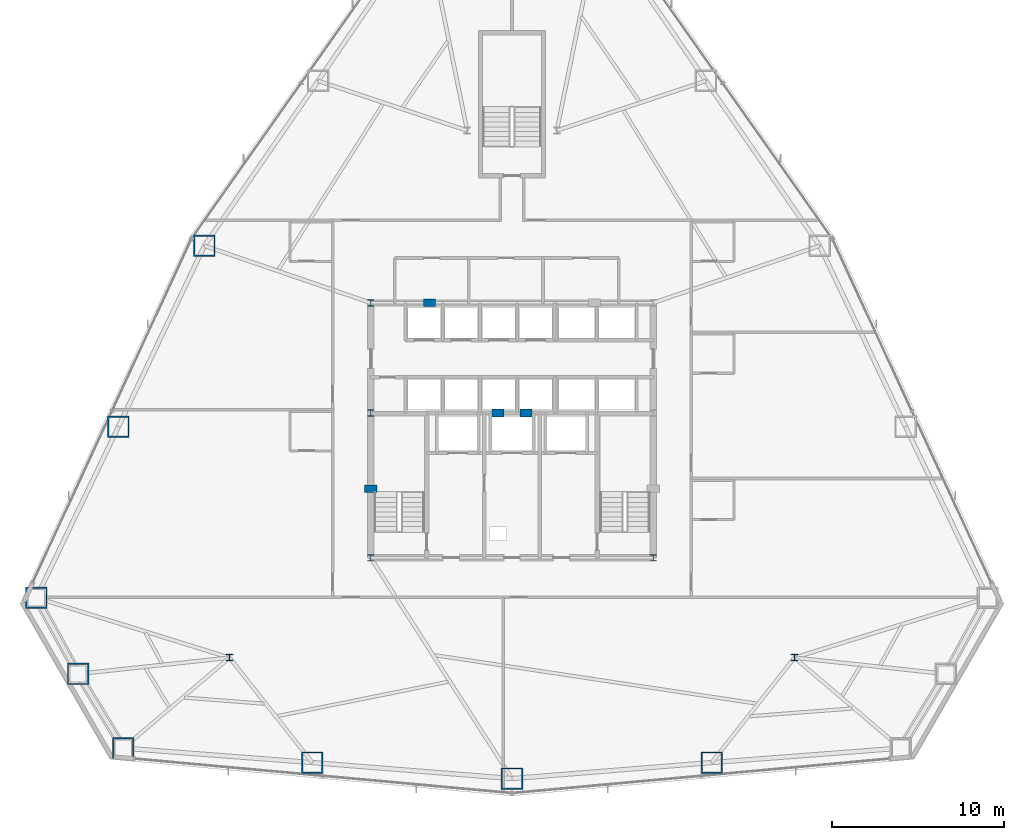
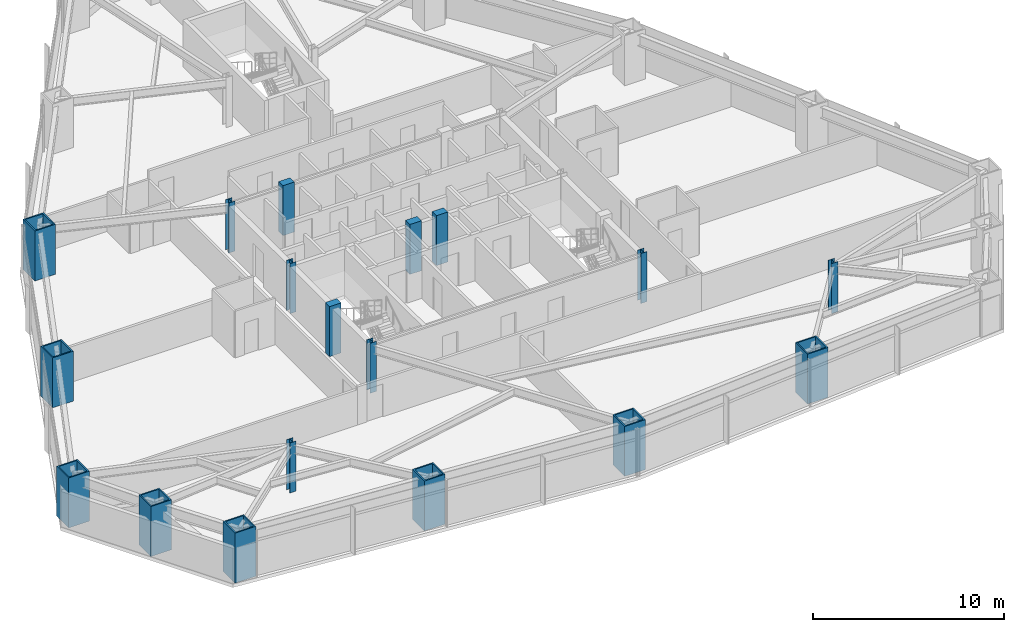
# One storey, part 1 of 12: 18 columns.
"""IFC4 building model written with IfcOpenShell, lengths in metres."""

from ifc_helpers import new_model, si_unit, direction, frame, origin, origin_2d, place, context, subcontext, project, spatial, rectangle, hollow_rectangle, i_section, extrude, material, material_profile, profile_set, type_object, element, save


model = new_model("IFC4")

# Units and contexts
model_context = context("Model", 3, precision=1e-05, world=origin(), true_north=direction((0.0, 1.0)))
body_context = subcontext(model_context, "Body", "Model", "MODEL_VIEW")
ifc_project = project(units=[si_unit("LENGTHUNIT", "METRE"), si_unit("AREAUNIT", "SQUARE_METRE"), si_unit("VOLUMEUNIT", "CUBIC_METRE"), si_unit("PLANEANGLEUNIT", "RADIAN"), si_unit("MASSUNIT", "GRAM", prefix="KILO")], contexts=[model_context])

# Site, building, storey
site_placement = place(None, origin())
site = spatial("IfcSite", under=ifc_project, at=site_placement, CompositionType="ELEMENT")
building_placement = place(site_placement, origin())
building = spatial("IfcBuilding", under=site, at=building_placement, Name="Varakhsha Concourse Tower", CompositionType="ELEMENT")
storey_placement = place(building_placement, frame((0.0, 0.0, 40.0)))
storey = spatial("IfcBuildingStorey", under=building, at=storey_placement, Name="L10", CompositionType="ELEMENT", Elevation=40.0)

# Columns
ifc_material_1 = material(Name="Structural Steel ASTM A992 Grade 50", Category="steel")
ifc_material_profile_1 = material_profile(ifc_material_1, i_section(OverallWidth=0.3740234375, OverallDepth=0.3720703125, WebThickness=0.01611328125, FlangeThickness=0.02587890625, at=origin_2d()), Name="W14X132")
ifc_profile_set_1 = profile_set([ifc_material_profile_1], Name="Structural Steel ASTM A992 Grade 50")
column_type_1 = type_object("IfcColumnType", Name="CL-CORE-W14X132", PredefinedType="COLUMN", material=ifc_profile_set_1)
for number, where, z_axis, x_axis, name in (
    (1, (31.800048828125, 16.39990234375, 0.0), (0.0, 0.0, 1.0), (1.0, 0.0, 0.0), "L10 Core Column CC-SW"),
    (2, (48.199951171875, 16.39990234375, 0.0), (0.0, 0.0, 1.0), (1.0, 0.0, 0.0), "L10 Core Column CC-SE"),
    (3, (31.800048828125, 24.800048828125, 0.0), (0.0, 0.0, 1.0), (1.0, 0.0, 0.0), "L10 Core Column CC-MW"),
    (4, (31.800048828125, 31.199951171875, 0.0), (0.0, 0.0, 1.0), (1.0, 0.0, 0.0), "L10 Core Column CC-NW"),
    (5, (23.60009765625, 10.60009765625, 0.0), (0.0, 0.0, 1.0), (1.0, 0.0, 0.0), "L10 Core Column SS-W"),
    (6, (56.39990234375, 10.60009765625, 0.0), (0.0, 0.0, 1.0), (1.0, 0.0, 0.0), "L10 Core Column SS-E"),
):
    element("IfcColumn", number, at=place(storey_placement, frame(where, z_axis=z_axis, x_axis=x_axis)), inside=storey, type_object=column_type_1, Name=name, PredefinedType="COLUMN", context=body_context, shape_type="SweptSolid", body=[
        extrude(i_section(OverallWidth=0.3740234375, OverallDepth=0.3720703125, WebThickness=0.01611328125, FlangeThickness=0.02587890625, at=origin_2d()), origin(), (0.0, 0.0, 1.0), 3.199951171875),
    ])
ifc_material_2 = material(Name="Concrete fc 65 MPa", Category="concrete")
ifc_material_profile_2 = material_profile(ifc_material_2, rectangle(XDim=0.699951171875, YDim=0.449951171875, at=origin_2d()), Name="RC 700x450")
ifc_profile_set_2 = profile_set([ifc_material_profile_2], Name="Concrete fc 65 MPa")
column_type_2 = type_object("IfcColumnType", Name="CL-PIL-700X450", PredefinedType="PILASTER", material=ifc_profile_set_2)
for number, where, z_axis, x_axis, name in (
    (7, (31.800048828125, 20.39990234375, 0.0), (0.0, 0.0, 1.0), (1.0, 0.0, 0.0), "L10 Core Boundary Pilaster PIL-W1"),
    (8, (35.199951171875, 31.199951171875, 0.0), (0.0, 0.0, 1.0), (1.0, 0.0, 0.0), "L10 Core Boundary Pilaster PIL-N1"),
    (9, (39.199951171875, 24.800048828125, 0.0), (0.0, 0.0, 1.0), (1.0, 0.0, 0.0), "L10 Core Boundary Pilaster PIL-M1"),
    (10, (40.800048828125, 24.800048828125, 0.0), (0.0, 0.0, 1.0), (1.0, 0.0, 0.0), "L10 Core Boundary Pilaster PIL-M2"),
):
    element("IfcColumn", number, at=place(storey_placement, frame(where, z_axis=z_axis, x_axis=x_axis)), inside=storey, type_object=column_type_2, Name=name, PredefinedType="PILASTER", context=body_context, shape_type="SweptSolid", body=[
        extrude(rectangle(XDim=0.699951171875, YDim=0.449951171875, at=origin_2d()), origin(), (0.0, 0.0, 1.0), 3.199951171875),
    ])
ifc_material_3 = material(Name="Structural Steel ASTM A572 Grade 50", Category="steel")
ifc_material_profile_3 = material_profile(ifc_material_3, hollow_rectangle(XDim=1.25, YDim=1.25, WallThickness=0.080078125, at=origin_2d()), Name="BOX 1250x1250x80")
ifc_profile_set_3 = profile_set([ifc_material_profile_3], Name="Structural Steel ASTM A572 Grade 50")
column_type_3 = type_object("IfcColumnType", Name="CL-TUBE-1250", PredefinedType="COLUMN", material=ifc_profile_set_3)
for number, where, z_axis, x_axis, name in (
    (11, (22.144775390625, 34.5087890625, 0.0), (0.0, 0.0, 1.0), (1.0, 0.0, 0.0), "L10 Framed-Tube Column TC05"),
    (12, (17.15283203125, 24.004150390625, 0.0), (0.0, 0.0, 1.0), (1.0, 0.0, 0.0), "L10 Framed-Tube Column TC06"),
    (13, (12.389404296875, 14.07958984375, 0.0), (0.0, 0.0, 1.0), (1.0, 0.0, 0.0), "L10 Framed-Tube Column TC07"),
    (14, (14.80859375, 9.65576171875, 0.0), (0.0, 0.0, 1.0), (1.0, 0.0, 0.0), "L10 Framed-Tube Column TC08"),
    (15, (17.430419921875, 5.3486328125, 0.0), (0.0, 0.0, 1.0), (1.0, 0.0, 0.0), "L10 Framed-Tube Column TC09"),
    (16, (28.40673828125, 4.51171875, 0.0), (0.0, 0.0, 1.0), (1.0, 0.0, 0.0), "L10 Framed-Tube Column TC10"),
    (17, (40.0, 3.58251953125, 0.0), (0.0, 0.0, 1.0), (1.0, 0.0, 0.0), "L10 Framed-Tube Column TC11"),
    (18, (51.59326171875, 4.51171875, 0.0), (0.0, 0.0, 1.0), (1.0, 0.0, 0.0), "L10 Framed-Tube Column TC12"),
):
    element("IfcColumn", number, at=place(storey_placement, frame(where, z_axis=z_axis, x_axis=x_axis)), inside=storey, type_object=column_type_3, Name=name, PredefinedType="COLUMN", context=body_context, shape_type="SweptSolid", body=[
        extrude(hollow_rectangle(XDim=1.25, YDim=1.25, WallThickness=0.080078125, at=origin_2d()), origin(), (0.0, 0.0, 1.0), 3.199951171875),
    ])

save(model, "model.ifc")
